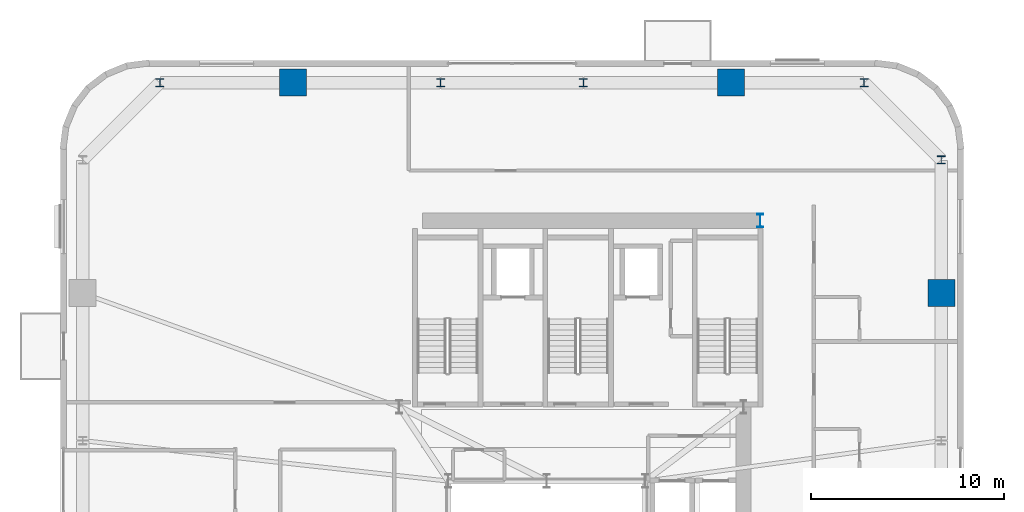
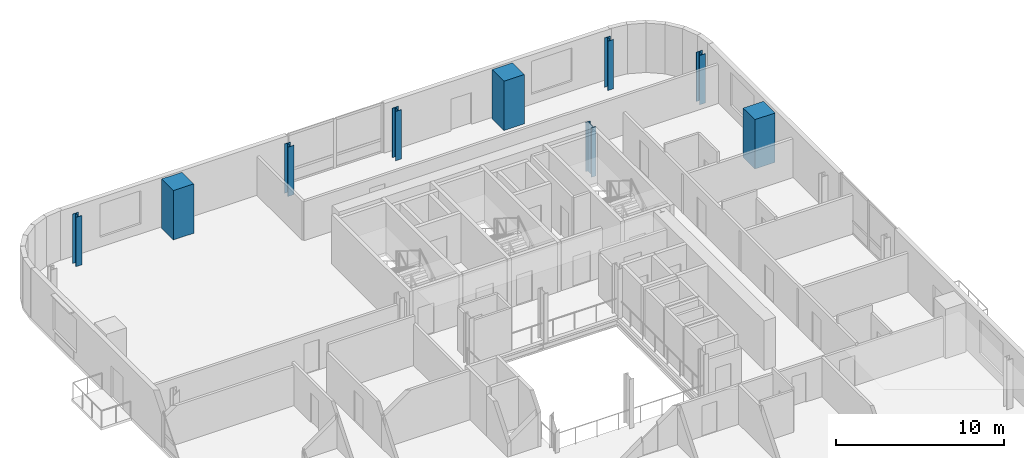
# One storey, part 2 of 16: 9 columns.
"""IFC4 building model written with IfcOpenShell, lengths in metres."""

from ifc_helpers import new_model, si_unit, direction, frame, origin, origin_2d, place, context, subcontext, project, spatial, rectangle, i_section, extrude, source, transform, mapped, material, material_profile, profile_set, type_object, element, save


model = new_model("IFC4")

# Units and contexts
model_context = context("Model", 3, precision=1e-05, world=origin(), true_north=direction((0.0, 1.0)))
body_context = subcontext(model_context, "Body", "Model", "MODEL_VIEW")
ifc_project = project(units=[si_unit("LENGTHUNIT", "METRE"), si_unit("AREAUNIT", "SQUARE_METRE"), si_unit("VOLUMEUNIT", "CUBIC_METRE"), si_unit("PLANEANGLEUNIT", "RADIAN"), si_unit("MASSUNIT", "GRAM", prefix="KILO")], contexts=[model_context])

# Site, building, storey
site_placement = place(None, origin())
site = spatial("IfcSite", under=ifc_project, at=site_placement, CompositionType="ELEMENT")
building_placement = place(site_placement, origin())
building = spatial("IfcBuilding", under=site, at=building_placement, Name="Vardaveli Station Tower", CompositionType="ELEMENT")
storey_placement = place(building_placement, frame((0.0, 0.0, 181.0)))
storey = spatial("IfcBuildingStorey", under=building, at=storey_placement, Name="L46", CompositionType="ELEMENT", Elevation=181.0)

# Columns
ifc_material_1 = material(Name="Structural steel S460M", Category="steel")
ifc_material_profile_1 = material_profile(ifc_material_1, i_section(OverallWidth=0.300048828125, OverallDepth=0.699951171875, WebThickness=0.01708984375, FlangeThickness=0.031982421875, FilletRadius=0.027099609375, at=origin_2d()), Name="HEB 700")
ifc_profile_set_1 = profile_set([ifc_material_profile_1], Name="Structural steel S460M")
column_type_1 = type_object("IfcColumnType", Name="COL-HEB700", PredefinedType="COLUMN", material=ifc_profile_set_1)
shared_shape_1 = source(origin(), body_context, "Body", "SweptSolid", [
    extrude(i_section(OverallWidth=0.300048828125, OverallDepth=0.699951171875, WebThickness=0.01708984375, FlangeThickness=0.031982421875, FilletRadius=0.027099609375, at=origin_2d()), origin(), (0.0, 0.0, 1.0), 3.580078125),
])
column_placement = place(storey_placement, frame((47.3701171875, 40.300048828125, 0.0), z_axis=(0.0, 0.0, 1.0), x_axis=(1.0, 0.0, 0.0)))
element("IfcColumn", 1, at=column_placement, inside=storey, type_object=column_type_1, Name="COL-L46-CC3", PredefinedType="COLUMN", context=body_context, shape_type="MappedRepresentation", body=[
    mapped(shared_shape_1, transform((0.0, 0.0, 0.0), scale=1.0)),
])
ifc_material_2 = material(Name="Concrete C50/60", Category="concrete")
ifc_material_profile_2 = material_profile(ifc_material_2, rectangle(XDim=1.39990234375, YDim=1.39990234375, at=origin_2d()), Name="MC 1400x1400")
ifc_profile_set_2 = profile_set([ifc_material_profile_2], Name="Concrete C50/60")
column_type_2 = type_object("IfcColumnType", Name="COL-MC-1400", PredefinedType="COLUMN", material=ifc_profile_set_2)
shared_shape_2 = source(origin(), body_context, "Body", "SweptSolid", [
    extrude(rectangle(XDim=1.39990234375, YDim=1.39990234375, at=origin_2d()), origin(), (0.0, 0.0, 1.0), 3.580078125),
])
for number, where, z_axis, x_axis, name in (
    (2, (56.75, 36.5400390625, 0.0), (0.0, 0.0, 1.0), (1.0, 0.0, 0.0), "COL-L46-MC4"),
    (3, (45.840087890625, 47.449951171875, 0.0), (0.0, 0.0, 1.0), (1.0, 0.0, 0.0), "COL-L46-MC5"),
    (4, (23.159912109375, 47.449951171875, 0.0), (0.0, 0.0, 1.0), (1.0, 0.0, 0.0), "COL-L46-MC6"),
):
    element("IfcColumn", number, at=place(storey_placement, frame(where, z_axis=z_axis, x_axis=x_axis)), inside=storey, type_object=column_type_2, Name=name, PredefinedType="COLUMN", context=body_context, shape_type="MappedRepresentation", body=[
        mapped(shared_shape_2, transform((0.0, 0.0, 0.0), scale=1.0)),
    ])
ifc_material_profile_3 = material_profile(ifc_material_1, i_section(OverallWidth=0.408935546875, OverallDepth=0.4169921875, WebThickness=0.021240234375, FlangeThickness=0.033203125, FilletRadius=0.014892578125, at=origin_2d()), Name="HD 400x347")
ifc_profile_set_3 = profile_set([ifc_material_profile_3], Name="Structural steel S460M")
column_type_3 = type_object("IfcColumnType", Name="COL-HD347", PredefinedType="COLUMN", material=ifc_profile_set_3)
shared_shape_3 = source(origin(), body_context, "Body", "SweptSolid", [
    extrude(i_section(OverallWidth=0.408935546875, OverallDepth=0.4169921875, WebThickness=0.021240234375, FlangeThickness=0.033203125, FilletRadius=0.014892578125, at=origin_2d()), origin(), (0.0, 0.0, 1.0), 3.580078125),
])
for number, where, z_axis, x_axis, name in (
    (5, (56.75, 43.449951171875, 0.0), (0.0, 0.0, 1.0), (1.0, 0.0, 0.0), "COL-L46-PC08"),
    (6, (52.75, 47.449951171875, 0.0), (0.0, 0.0, 1.0), (1.0, 0.0, 0.0), "COL-L46-PC09"),
    (7, (38.199951171875, 47.449951171875, 0.0), (0.0, 0.0, 1.0), (1.0, 0.0, 0.0), "COL-L46-PC10"),
    (8, (30.800048828125, 47.449951171875, 0.0), (0.0, 0.0, 1.0), (1.0, 0.0, 0.0), "COL-L46-PC11"),
    (9, (16.25, 47.449951171875, 0.0), (0.0, 0.0, 1.0), (1.0, 0.0, 0.0), "COL-L46-PC12"),
):
    element("IfcColumn", number, at=place(storey_placement, frame(where, z_axis=z_axis, x_axis=x_axis)), inside=storey, type_object=column_type_3, Name=name, PredefinedType="COLUMN", context=body_context, shape_type="MappedRepresentation", body=[
        mapped(shared_shape_3, transform((0.0, 0.0, 0.0), scale=1.0)),
    ])

save(model, "model.ifc")
